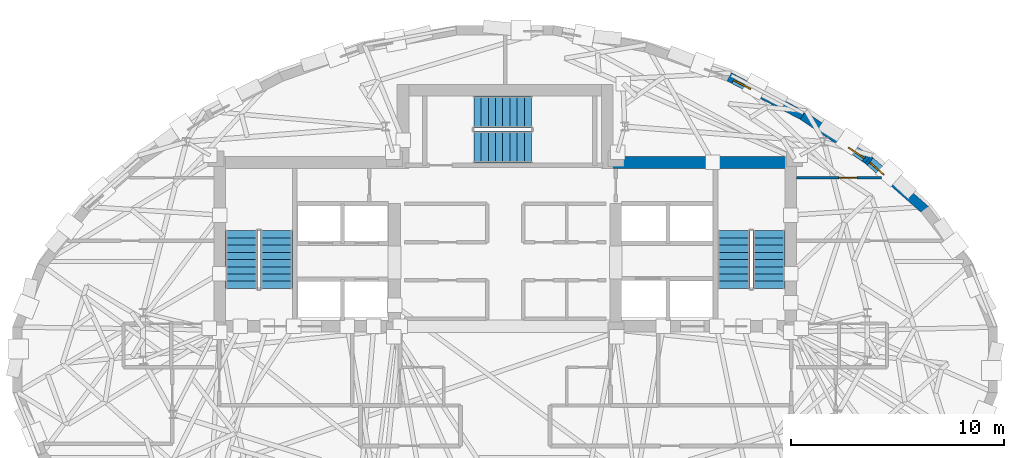
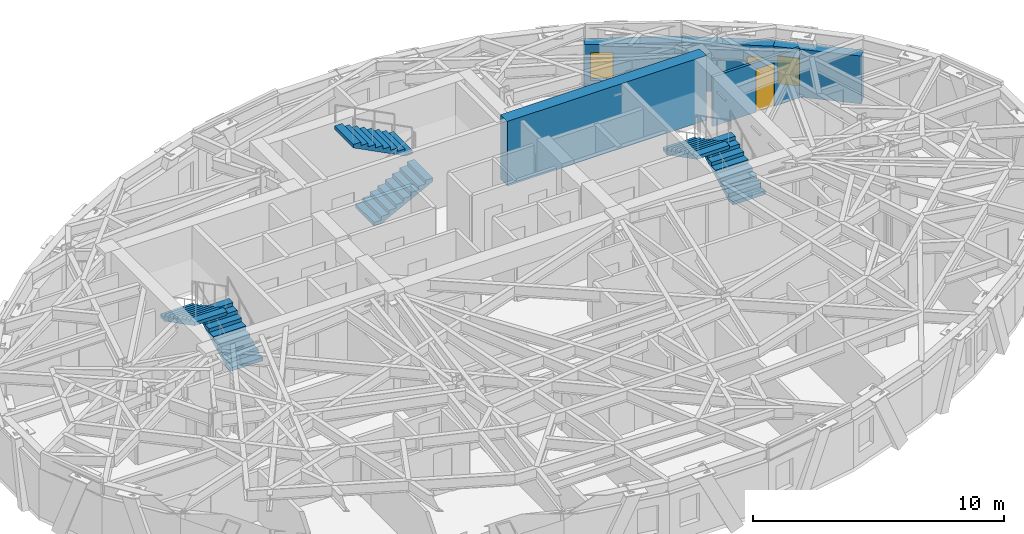
# One storey, part 10 of 13: 6 stair flights, 5 walls, 3 windows, 1 door, 4 openings, 3 elements without a shape of their own.
"""IFC4 building model written with IfcOpenShell, lengths in metres."""

from ifc_helpers import new_model, si_unit, direction, frame, frame_2d, origin, place, context, subcontext, project, spatial, polyline, rectangle, outline, extrude, material, layer, layer_set, type_object, element, fill, aggregate, save


model = new_model("IFC4")

# Units and contexts
model_context = context("Model", 3, precision=1e-05, world=origin(), true_north=direction((0.0, 1.0)))
body_context = subcontext(model_context, "Body", "Model", "MODEL_VIEW")
ifc_project = project(units=[si_unit("LENGTHUNIT", "METRE"), si_unit("AREAUNIT", "SQUARE_METRE"), si_unit("VOLUMEUNIT", "CUBIC_METRE"), si_unit("PLANEANGLEUNIT", "RADIAN"), si_unit("MASSUNIT", "GRAM", prefix="KILO")], contexts=[model_context])

# Site, building, storey
site_placement = place(None, origin())
site = spatial("IfcSite", under=ifc_project, at=site_placement, CompositionType="ELEMENT")
building_placement = place(site_placement, origin())
building = spatial("IfcBuilding", under=site, at=building_placement, Name="Keldmark Tower", CompositionType="ELEMENT")
storey_placement = place(building_placement, frame((0.0, 0.0, 219.449951171875)))
storey = spatial("IfcBuildingStorey", under=building, at=storey_placement, Name="L61", CompositionType="ELEMENT", Elevation=219.449951171875)

# Wall
ifc_material_1 = material(Name="Concrete C50/60", Category="concrete")
ifc_layer_1 = layer(ifc_material_1, 0.550048828125)
ifc_layer_set_1 = layer_set([ifc_layer_1], Name="Concrete C50/60")
wall_type_1 = type_object("IfcWallType", Name="High-Rise Core Shear Wall 550 mm", PredefinedType="SHEAR", material=ifc_layer_set_1)
wall_1_placement = place(storey_placement, frame((4.52490234375, 9.27490234375, 0.0), z_axis=(0.0, 0.0, 1.0), x_axis=(1.0, 0.0, 0.0)))
element("IfcWall", 1, at=wall_1_placement, inside=storey, type_object=wall_type_1, Name="L61 East Core North Shear Wall", PredefinedType="SHEAR", context=body_context, shape_type="SweptSolid", body=[
    extrude(rectangle(XDim=9.175048828125, YDim=0.550048828125, at=frame_2d((4.58740234375, 0.0))), origin(), (0.0, 0.0, 1.0), 3.150146484375),
])

# Wall, opening, door
ifc_material_2 = material(Name="Acoustic Gypsum Board Interior Partition", Category="gypsum")
ifc_layer_2 = layer(ifc_material_2, 0.1298828125)
ifc_layer_set_2 = layer_set([ifc_layer_2], Name="Acoustic Gypsum Board Interior Partition")
wall_type_2 = type_object("IfcWallType", Name="Interior Partition 130 mm", PredefinedType="PARTITIONING", material=ifc_layer_set_2)
wall_2_placement = place(storey_placement, frame((13.699951171875, 8.550048828125, 0.0), z_axis=(0.0, 0.0, 1.0), x_axis=(1.0, 0.0, 0.0)))
wall_2 = element("IfcWall", 2, at=wall_2_placement, inside=storey, type_object=wall_type_2, Name="L61 Interior Partition 130 mm UE-NDIV2", PredefinedType="PARTITIONING", context=body_context, shape_type="SweptSolid", body=[
    extrude(rectangle(XDim=3.987548828125, YDim=0.1298828125, at=frame_2d((1.99365234375, 0.0))), origin(), (0.0, 0.0, 1.0), 2.423095703125),
])
opening_1_placement = place(wall_2_placement, frame((1.986083984375, 0.0, 0.0)))
opening_1 = element("IfcOpeningElement", 3, at=opening_1_placement, cuts=wall_2, Name="Opening D-IN085", PredefinedType="OPENING", context=body_context, shape_type="SweptSolid", body=[
    extrude(rectangle(XDim=0.85009765625, YDim=2.10009765625, at=frame_2d((0.425048828125, 1.050048828125))), frame((0.0, 0.074951171875, 0.0), z_axis=(0.0, -1.0, 0.0), x_axis=(1.0, 0.0, 0.0)), (0.0, 0.0, 1.0), 0.14990234375),
])
ifc_material_3 = material(Name="Painted Architectural Wood", Category="wood")
door_type = type_object("IfcDoorType", Name="Interior Door 850x2100", OperationType="NOTDEFINED", PredefinedType="DOOR", material=ifc_material_3)
door_placement = place(opening_1_placement, origin())
door = element("IfcDoor", 4, at=door_placement, inside=storey, type_object=door_type, Name="L61 Interior Door 850x2100 D-UE-BR2-L61", OperationType="SINGLE_SWING_RIGHT", OverallHeight=2.10009765625, OverallWidth=0.85009765625, PredefinedType="DOOR", context=body_context, shape_type="SweptSolid", body=[
    extrude(rectangle(XDim=0.85009765625, YDim=2.10009765625, at=frame_2d((0.425048828125, 1.050048828125))), frame((0.0, 0.02490234375, 0.0), z_axis=(0.0, -1.0, 0.0), x_axis=(1.0, 0.0, 0.0)), (0.0, 0.0, 1.0), 0.050048828125),
])
fill(opening_1, door)

# Wall, opening, window
ifc_material_4 = material(Name="Ironspot Manganese Brick and Kasota Buff Limestone Spandrel Assembly", Category="masonry")
ifc_layer_3 = layer(ifc_material_4, 0.43994140625)
ifc_layer_set_3 = layer_set([ifc_layer_3], Name="Ironspot Manganese Brick and Kasota Buff Limestone Spandrel Assembly")
wall_type_3 = type_object("IfcWallType", Name="Tower Brick Pier and Spandrel Wall 440 mm", PredefinedType="STANDARD", material=ifc_layer_set_3)
wall_3_placement = place(storey_placement, frame((17.0537109375, 9.406982421875, 0.0), z_axis=(0.0, 0.0, 1.0), x_axis=(0.752758077019, -0.658297256172, 0.0)))
wall_3 = element("IfcWall", 5, at=wall_3_placement, inside=storey, type_object=wall_type_3, Name="L61 Exterior Brick and Spandrel Wall 03", PredefinedType="STANDARD", context=body_context, shape_type="SweptSolid", body=[
    extrude(rectangle(XDim=3.584716796875, YDim=0.43994140625, at=frame_2d((1.79248046875, 0.0))), origin(), (0.0, 0.0, 1.0), 2.3359375),
])
opening_2_placement = place(wall_3_placement, frame((0.139892578125, 0.0, 0.419921875)))
opening_2 = element("IfcOpeningElement", 6, at=opening_2_placement, cuts=wall_3, Name="Opening W-09", PredefinedType="OPENING", context=body_context, shape_type="SweptSolid", body=[
    extrude(rectangle(XDim=0.89990234375, YDim=1.35009765625, at=frame_2d((0.449951171875, 0.675048828125))), frame((0.0, 0.22998046875, 0.0), z_axis=(0.0, -1.0, 0.0), x_axis=(1.0, 0.0, 0.0)), (0.0, 0.0, 1.0), 0.4599609375),
])
ifc_material_5 = material(Name="Thermally Broken Anodized Aluminum and Triple Low-E Argon Glazing", Category="aluminium")
window_type = type_object("IfcWindowType", Name="Corner Pier Deep-Set Window 900x1350", PartitioningType="SINGLE_PANEL", PredefinedType="WINDOW", material=ifc_material_5)
window_1_placement = place(opening_2_placement, origin())
window_1 = element("IfcWindow", 7, at=window_1_placement, inside=storey, type_object=window_type, Name="L61 Pier Window RM02", OverallHeight=1.35009765625, OverallWidth=0.89990234375, PartitioningType="SINGLE_PANEL", PredefinedType="WINDOW", context=body_context, shape_type="SweptSolid", body=[
    extrude(rectangle(XDim=0.89990234375, YDim=1.35009765625, at=frame_2d((0.449951171875, 0.675048828125))), frame((0.0, -0.010009765625, 0.0), z_axis=(0.0, -1.0, 0.0), x_axis=(1.0, 0.0, 0.0)), (0.0, 0.0, 1.0), 0.06005859375),
])
fill(opening_2, window_1)

wall_4_placement = place(storey_placement, frame((13.990966796875, 11.482177734375, 0.0), z_axis=(0.0, 0.0, 1.0), x_axis=(0.827609463482, -0.56130435234, 0.0)))
wall_4 = element("IfcWall", 8, at=wall_4_placement, inside=storey, type_object=wall_type_3, Name="L61 Exterior Brick and Spandrel Wall 04", PredefinedType="STANDARD", context=body_context, shape_type="SweptSolid", body=[
    extrude(rectangle(XDim=3.7265625, YDim=0.43994140625, at=frame_2d((1.86328125, 0.0))), origin(), (0.0, 0.0, 1.0), 2.3359375),
])
opening_3_placement = place(wall_4_placement, frame((2.62646484375, 0.0, 0.419921875)))
opening_3 = element("IfcOpeningElement", 9, at=opening_3_placement, cuts=wall_4, Name="Opening W-09", PredefinedType="OPENING", context=body_context, shape_type="SweptSolid", body=[
    extrude(rectangle(XDim=0.89990234375, YDim=1.35009765625, at=frame_2d((0.449951171875, 0.675048828125))), frame((0.0, 0.22998046875, 0.0), z_axis=(0.0, -1.0, 0.0), x_axis=(1.0, 0.0, 0.0)), (0.0, 0.0, 1.0), 0.4599609375),
])
window_2_placement = place(opening_3_placement, origin())
window_2 = element("IfcWindow", 10, at=window_2_placement, inside=storey, type_object=window_type, Name="L61 Deep-Set Window 04", OverallHeight=1.35009765625, OverallWidth=0.89990234375, PartitioningType="SINGLE_PANEL", PredefinedType="WINDOW", context=body_context, shape_type="SweptSolid", body=[
    extrude(rectangle(XDim=0.89990234375, YDim=1.35009765625, at=frame_2d((0.449951171875, 0.675048828125))), frame((0.0, -0.010009765625, 0.0), z_axis=(0.0, -1.0, 0.0), x_axis=(1.0, 0.0, 0.0)), (0.0, 0.0, 1.0), 0.06005859375),
])
fill(opening_3, window_2)

wall_5_placement = place(storey_placement, frame((10.53271484375, 13.299560546875, 0.0), z_axis=(0.0, 0.0, 1.0), x_axis=(0.885047506895, -0.465500709493, 0.0)))
wall_5 = element("IfcWall", 11, at=wall_5_placement, inside=storey, type_object=wall_type_3, Name="L61 Exterior Brick and Spandrel Wall 05", PredefinedType="STANDARD", context=body_context, shape_type="SweptSolid", body=[
    extrude(rectangle(XDim=3.931396484375, YDim=0.43994140625, at=frame_2d((1.9658203125, 0.0))), origin(), (0.0, 0.0, 1.0), 2.3359375),
])
opening_4_placement = place(wall_5_placement, frame((0.24951171875, 0.0, 0.580078125)))
opening_4 = element("IfcOpeningElement", 12, at=opening_4_placement, cuts=wall_5, Name="Opening W-09", PredefinedType="OPENING", context=body_context, shape_type="SweptSolid", body=[
    extrude(rectangle(XDim=0.89990234375, YDim=1.35009765625, at=frame_2d((0.449951171875, 0.675048828125))), frame((0.0, 0.22998046875, 0.0), z_axis=(0.0, -1.0, 0.0), x_axis=(1.0, 0.0, 0.0)), (0.0, 0.0, 1.0), 0.4599609375),
])
window_3_placement = place(opening_4_placement, origin())
window_3 = element("IfcWindow", 13, at=window_3_placement, inside=storey, type_object=window_type, Name="L61 Deep-Set Window 05", OverallHeight=1.35009765625, OverallWidth=0.89990234375, PartitioningType="SINGLE_PANEL", PredefinedType="WINDOW", context=body_context, shape_type="SweptSolid", body=[
    extrude(rectangle(XDim=0.89990234375, YDim=1.35009765625, at=frame_2d((0.449951171875, 0.675048828125))), frame((0.0, -0.010009765625, 0.0), z_axis=(0.0, -1.0, 0.0), x_axis=(1.0, 0.0, 0.0)), (0.0, 0.0, 1.0), 0.06005859375),
])
fill(opening_4, window_3)

# Stair, stair flights
ifc_material_6 = material(Name="Concrete C40/50", Category="concrete")
stair_type = type_object("IfcStairType", Name="Precast Concrete Core Exit Stair", PredefinedType="HALF_TURN_STAIR", material=ifc_material_6)
stair_1_placement = place(storey_placement, origin())
stair_1 = element("IfcStair", 14, at=stair_1_placement, inside=storey, type_object=stair_type, Name="L61 Exit Stair ST1", PredefinedType="HALF_TURN_STAIR")
ifc_material_7 = material(Name="Concrete C40/50", Category="concrete")
stair_flight_type = type_object("IfcStairFlightType", Name="Precast Concrete Stair Flight 1500 mm", PredefinedType="STRAIGHT", material=ifc_material_7)
stair_flight_1_placement = place(storey_placement, frame((-10.75, 3.35009765625, 0.0), z_axis=(0.0, 0.0, 1.0), x_axis=(0.0, 1.0, 0.0)))
stair_flight_1 = element("IfcStairFlight", 15, at=stair_flight_1_placement, type_object=stair_flight_type, Name="ST1 flight 1", NumberOfRisers=9, NumberOfTreads=8, PredefinedType="STRAIGHT", RiserHeight=0.175, TreadLength=0.34, context=body_context, shape_type="SweptSolid", body=[
    extrude(outline(polyline([(0.0, 0.0), (0.0, 0.175048828125), (0.340087890625, 0.175048828125), (0.340087890625, 0.35009765625), (0.679931640625, 0.35009765625), (0.679931640625, 0.52490234375), (1.02001953125, 0.52490234375), (1.02001953125, 0.699951171875), (1.360107421875, 0.699951171875), (1.360107421875, 0.875), (1.699951171875, 0.875), (1.699951171875, 1.050048828125), (2.0400390625, 1.050048828125), (2.0400390625, 1.22509765625), (2.3798828125, 1.22509765625), (2.3798828125, 1.39990234375), (2.719970703125, 1.39990234375), (2.719970703125, 1.574951171875), (2.719970703125, 1.2314453125), (0.32763671875, 0.0), (0.0, 0.0)])), frame((0.0, 0.75, 0.0), z_axis=(0.0, -1.0, 0.0), x_axis=(1.0, 0.0, 0.0)), (0.0, 0.0, 1.0), 1.5),
])
stair_flight_2_placement = place(storey_placement, frame((-12.39990234375, 6.070068359375, 1.574951171875), z_axis=(0.0, 0.0, 1.0), x_axis=(0.0, -1.0, 0.0)))
stair_flight_2 = element("IfcStairFlight", 16, at=stair_flight_2_placement, type_object=stair_flight_type, Name="ST1 flight 2", NumberOfRisers=9, NumberOfTreads=8, PredefinedType="STRAIGHT", RiserHeight=0.175, TreadLength=0.34, context=body_context, shape_type="SweptSolid", body=[
    extrude(outline(polyline([(0.0, 0.0), (0.0, 0.175048828125), (0.340087890625, 0.175048828125), (0.340087890625, 0.35009765625), (0.679931640625, 0.35009765625), (0.679931640625, 0.52490234375), (1.02001953125, 0.52490234375), (1.02001953125, 0.699951171875), (1.360107421875, 0.699951171875), (1.360107421875, 0.875), (1.699951171875, 0.875), (1.699951171875, 1.050048828125), (2.0400390625, 1.050048828125), (2.0400390625, 1.22509765625), (2.3798828125, 1.22509765625), (2.3798828125, 1.39990234375), (2.719970703125, 1.39990234375), (2.719970703125, 1.574951171875), (2.719970703125, 1.2314453125), (0.32763671875, 0.0), (0.0, 0.0)])), frame((0.0, 0.75, 0.0), z_axis=(0.0, -1.0, 0.0), x_axis=(1.0, 0.0, 0.0)), (0.0, 0.0, 1.0), 1.5),
])
aggregate(stair_1, [stair_flight_1, stair_flight_2])

stair_2_placement = place(storey_placement, origin())
stair_2 = element("IfcStair", 17, at=stair_2_placement, inside=storey, type_object=stair_type, Name="L61 Exit Stair ST2", PredefinedType="HALF_TURN_STAIR")
stair_flight_3_placement = place(storey_placement, frame((12.39990234375, 3.35009765625, 0.0), z_axis=(0.0, 0.0, 1.0), x_axis=(0.0, 1.0, 0.0)))
stair_flight_3 = element("IfcStairFlight", 18, at=stair_flight_3_placement, type_object=stair_flight_type, Name="ST2 flight 1", NumberOfRisers=9, NumberOfTreads=8, PredefinedType="STRAIGHT", RiserHeight=0.175, TreadLength=0.34, context=body_context, shape_type="SweptSolid", body=[
    extrude(outline(polyline([(0.0, 0.0), (0.0, 0.175048828125), (0.340087890625, 0.175048828125), (0.340087890625, 0.35009765625), (0.679931640625, 0.35009765625), (0.679931640625, 0.52490234375), (1.02001953125, 0.52490234375), (1.02001953125, 0.699951171875), (1.360107421875, 0.699951171875), (1.360107421875, 0.875), (1.699951171875, 0.875), (1.699951171875, 1.050048828125), (2.0400390625, 1.050048828125), (2.0400390625, 1.22509765625), (2.3798828125, 1.22509765625), (2.3798828125, 1.39990234375), (2.719970703125, 1.39990234375), (2.719970703125, 1.574951171875), (2.719970703125, 1.2314453125), (0.32763671875, 0.0), (0.0, 0.0)])), frame((0.0, 0.75, 0.0), z_axis=(0.0, -1.0, 0.0), x_axis=(1.0, 0.0, 0.0)), (0.0, 0.0, 1.0), 1.5),
])
stair_flight_4_placement = place(storey_placement, frame((10.75, 6.070068359375, 1.574951171875), z_axis=(0.0, 0.0, 1.0), x_axis=(0.0, -1.0, 0.0)))
stair_flight_4 = element("IfcStairFlight", 19, at=stair_flight_4_placement, type_object=stair_flight_type, Name="ST2 flight 2", NumberOfRisers=9, NumberOfTreads=8, PredefinedType="STRAIGHT", RiserHeight=0.175, TreadLength=0.34, context=body_context, shape_type="SweptSolid", body=[
    extrude(outline(polyline([(0.0, 0.0), (0.0, 0.175048828125), (0.340087890625, 0.175048828125), (0.340087890625, 0.35009765625), (0.679931640625, 0.35009765625), (0.679931640625, 0.52490234375), (1.02001953125, 0.52490234375), (1.02001953125, 0.699951171875), (1.360107421875, 0.699951171875), (1.360107421875, 0.875), (1.699951171875, 0.875), (1.699951171875, 1.050048828125), (2.0400390625, 1.050048828125), (2.0400390625, 1.22509765625), (2.3798828125, 1.22509765625), (2.3798828125, 1.39990234375), (2.719970703125, 1.39990234375), (2.719970703125, 1.574951171875), (2.719970703125, 1.2314453125), (0.32763671875, 0.0), (0.0, 0.0)])), frame((0.0, 0.75, 0.0), z_axis=(0.0, -1.0, 0.0), x_axis=(1.0, 0.0, 0.0)), (0.0, 0.0, 1.0), 1.5),
])
aggregate(stair_2, [stair_flight_3, stair_flight_4])

stair_3_placement = place(storey_placement, origin())
stair_3 = element("IfcStair", 20, at=stair_3_placement, inside=storey, type_object=stair_type, Name="L61 Exit Stair ST3", PredefinedType="HALF_TURN_STAIR")
stair_flight_5_placement = place(storey_placement, frame((-1.47509765625, 10.0, 0.0), z_axis=(0.0, 0.0, 1.0), x_axis=(1.0, 0.0, 0.0)))
stair_flight_5 = element("IfcStairFlight", 21, at=stair_flight_5_placement, type_object=stair_flight_type, Name="ST3 flight 1", NumberOfRisers=9, NumberOfTreads=8, PredefinedType="STRAIGHT", RiserHeight=0.175, TreadLength=0.34, context=body_context, shape_type="SweptSolid", body=[
    extrude(outline(polyline([(0.0, 0.0), (0.0, 0.175048828125), (0.340087890625, 0.175048828125), (0.340087890625, 0.35009765625), (0.679931640625, 0.35009765625), (0.679931640625, 0.52490234375), (1.02001953125, 0.52490234375), (1.02001953125, 0.699951171875), (1.360107421875, 0.699951171875), (1.360107421875, 0.875), (1.699951171875, 0.875), (1.699951171875, 1.050048828125), (2.0400390625, 1.050048828125), (2.0400390625, 1.22509765625), (2.3798828125, 1.22509765625), (2.3798828125, 1.39990234375), (2.719970703125, 1.39990234375), (2.719970703125, 1.574951171875), (2.719970703125, 1.2314453125), (0.32763671875, 0.0), (0.0, 0.0)])), frame((0.0, 0.75, 0.0), z_axis=(0.0, -1.0, 0.0), x_axis=(1.0, 0.0, 0.0)), (0.0, 0.0, 1.0), 1.5),
])
stair_flight_6_placement = place(storey_placement, frame((1.2451171875, 11.64990234375, 1.574951171875), z_axis=(0.0, 0.0, 1.0), x_axis=(-1.0, 0.0, 0.0)))
stair_flight_6 = element("IfcStairFlight", 22, at=stair_flight_6_placement, type_object=stair_flight_type, Name="ST3 flight 2", NumberOfRisers=9, NumberOfTreads=8, PredefinedType="STRAIGHT", RiserHeight=0.175, TreadLength=0.34, context=body_context, shape_type="SweptSolid", body=[
    extrude(outline(polyline([(0.0, 0.0), (0.0, 0.175048828125), (0.340087890625, 0.175048828125), (0.340087890625, 0.35009765625), (0.679931640625, 0.35009765625), (0.679931640625, 0.52490234375), (1.02001953125, 0.52490234375), (1.02001953125, 0.699951171875), (1.360107421875, 0.699951171875), (1.360107421875, 0.875), (1.699951171875, 0.875), (1.699951171875, 1.050048828125), (2.0400390625, 1.050048828125), (2.0400390625, 1.22509765625), (2.3798828125, 1.22509765625), (2.3798828125, 1.39990234375), (2.719970703125, 1.39990234375), (2.719970703125, 1.574951171875), (2.719970703125, 1.2314453125), (0.32763671875, 0.0), (0.0, 0.0)])), frame((0.0, 0.75, 0.0), z_axis=(0.0, -1.0, 0.0), x_axis=(1.0, 0.0, 0.0)), (0.0, 0.0, 1.0), 1.5),
])
aggregate(stair_3, [stair_flight_5, stair_flight_6])

save(model, "model.ifc")
